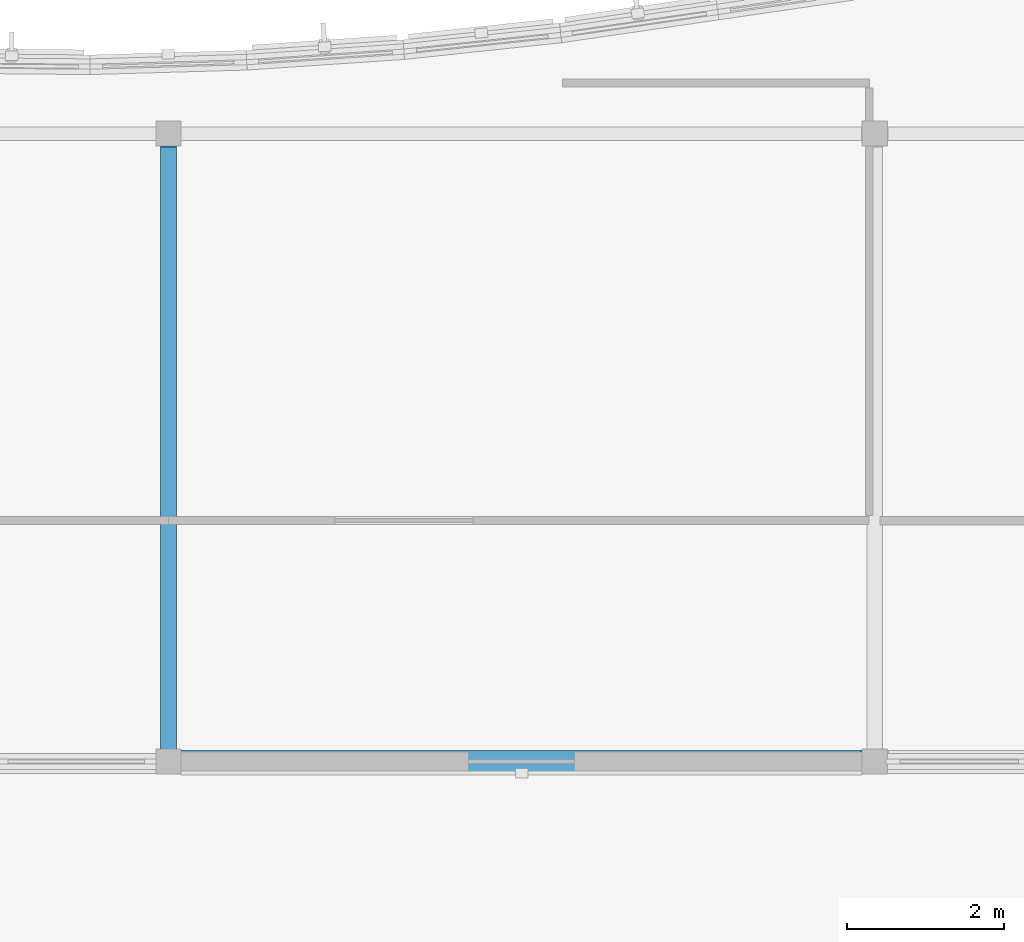
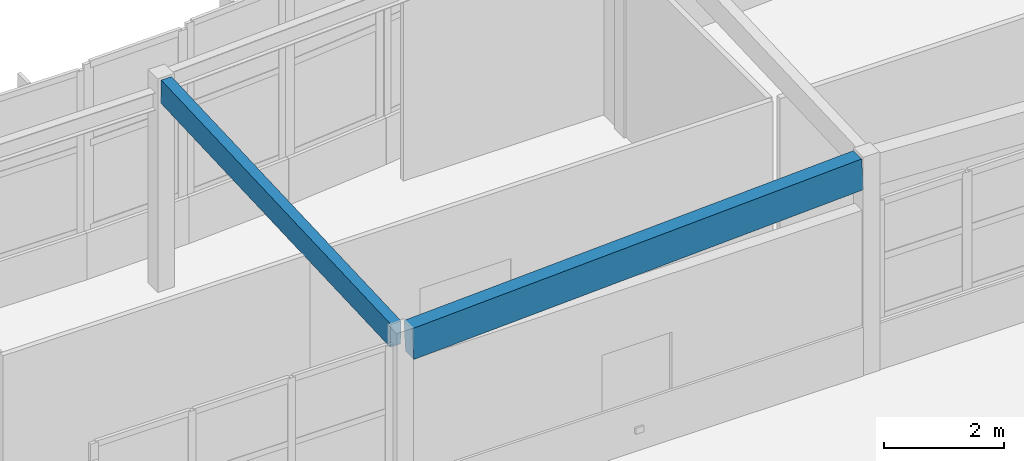
# One storey, part 3 of 20: 2 beams.
"""IFC4 building model written with IfcOpenShell, lengths in metres."""

from ifc_helpers import new_model, si_unit, direction, frame, origin, origin_2d, place, context, subcontext, project, spatial, rectangle, extrude, material, material_profile, profile_set, type_object, element, save


model = new_model("IFC4")

# Units and contexts
model_context = context("Model", 3, precision=1e-05, world=origin(), true_north=direction((0.0, 1.0)))
body_context = subcontext(model_context, "Body", "Model", "MODEL_VIEW")
ifc_project = project(units=[si_unit("LENGTHUNIT", "METRE"), si_unit("AREAUNIT", "SQUARE_METRE"), si_unit("VOLUMEUNIT", "CUBIC_METRE"), si_unit("PLANEANGLEUNIT", "RADIAN"), si_unit("MASSUNIT", "GRAM", prefix="KILO")], contexts=[model_context])

# Site, building, storey
site_placement = place(None, origin())
site = spatial("IfcSite", under=ifc_project, at=site_placement, CompositionType="ELEMENT")
building_placement = place(site_placement, origin())
building = spatial("IfcBuilding", under=site, at=building_placement, Name="Tonlespit Floodbar School", CompositionType="ELEMENT")
storey_placement = place(building_placement, frame((0.0, 0.0, 20.10009765625)))
storey = spatial("IfcBuildingStorey", under=building, at=storey_placement, Name="L05", CompositionType="ELEMENT", Elevation=20.10009765625)

# Beams
ifc_material = material(Name="Glulam GL28h", Category="wood")
ifc_material_profile_1 = material_profile(ifc_material, rectangle(XDim=0.199951171875, YDim=0.47998046875, at=origin_2d()), Name="GL 200x480")
ifc_profile_set_1 = profile_set([ifc_material_profile_1], Name="Glulam GL28h")
beam_type_1 = type_object("IfcBeamType", Name="Beam_GL_200x480", PredefinedType="BEAM", material=ifc_profile_set_1)
beam_1_placement = place(storey_placement, frame((71.0, 112.159912109375, 3.74951171875), z_axis=(0.0, 0.999069533259, 0.043128502326), x_axis=(-1.0, 0.0, 0.0)))
element("IfcBeam", 1, at=beam_1_placement, inside=storey, type_object=beam_type_1, Name="L05 girder 1355", PredefinedType="BEAM", context=body_context, shape_type="SweptSolid", body=[
    extrude(rectangle(XDim=0.199951171875, YDim=0.47998046875, at=origin_2d()), origin(), (0.0, 0.0, 1.0), 7.687255859375),
])
ifc_material_profile_2 = material_profile(ifc_material, rectangle(XDim=0.280029296875, YDim=0.639892578125, at=origin_2d()), Name="GL 280x640")
ifc_profile_set_2 = profile_set([ifc_material_profile_2], Name="Glulam GL28h")
beam_type_2 = type_object("IfcBeamType", Name="Beam_GL_280x640", PredefinedType="BEAM", material=ifc_profile_set_2)
beam_2_placement = place(storey_placement, frame((71.159912109375, 112.0, 3.670654296875), z_axis=(0.998785324157, 0.0, 0.049273484237), x_axis=(0.0, 1.0, 0.0)))
element("IfcBeam", 2, at=beam_2_placement, inside=storey, type_object=beam_type_2, Name="L05 girder 1341", PredefinedType="BEAM", context=body_context, shape_type="SweptSolid", body=[
    extrude(rectangle(XDim=0.280029296875, YDim=0.639892578125, at=origin_2d()), origin(), (0.0, 0.0, 1.0), 8.690673828125),
])

save(model, "model.ifc")
